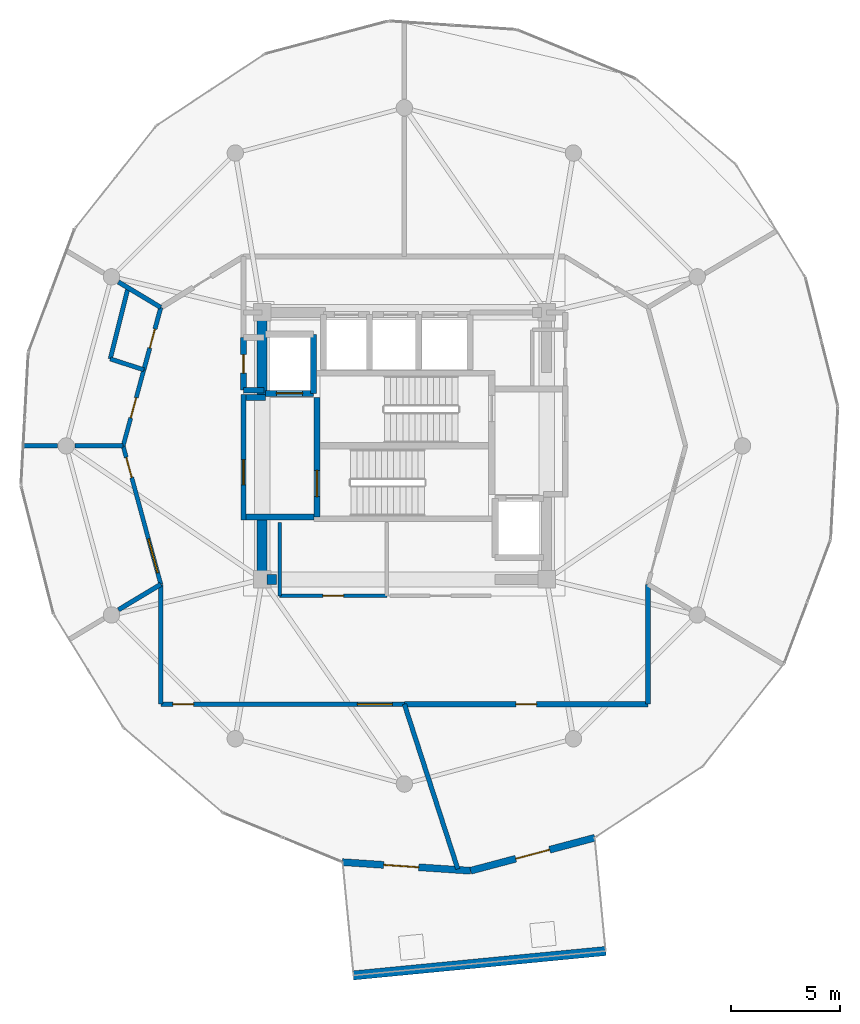
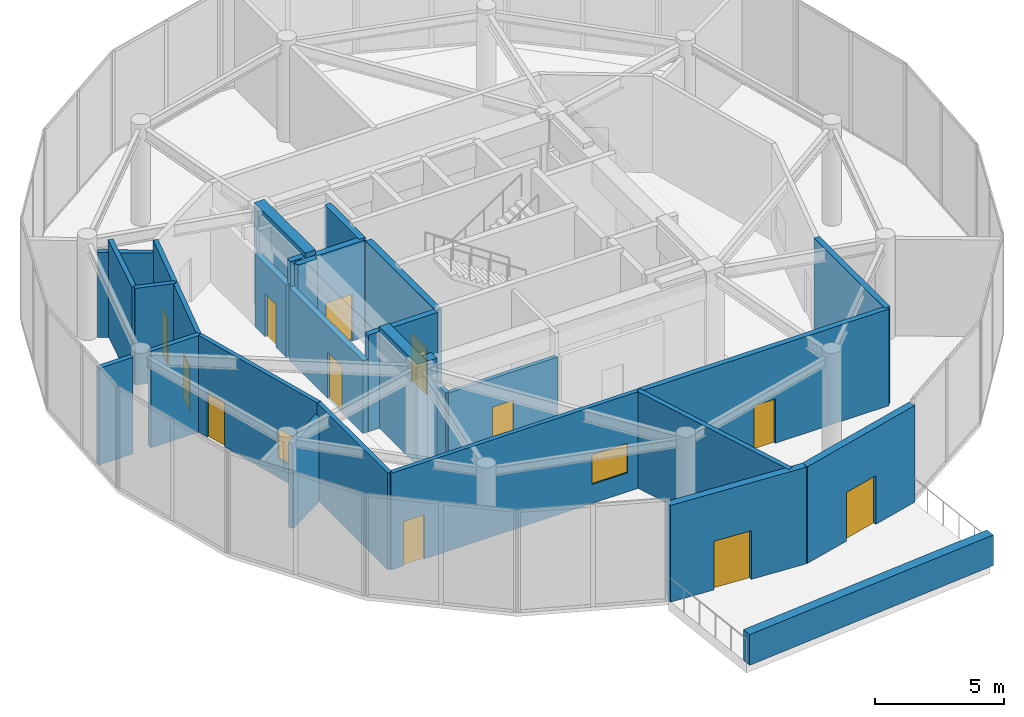
# One storey, part 17 of 21: 30 walls, 12 doors, 2 windows, 14 openings.
"""IFC4 building model written with IfcOpenShell, lengths in metres."""

from ifc_helpers import new_model, si_unit, direction, frame, frame_2d, origin, place, context, subcontext, project, spatial, rectangle, extrude, material, layer, layer_set, type_object, element, fill, save


model = new_model("IFC4")

# Units and contexts
model_context = context("Model", 3, precision=1e-05, world=origin(), true_north=direction((0.0, 1.0)))
body_context = subcontext(model_context, "Body", "Model", "MODEL_VIEW")
ifc_project = project(units=[si_unit("LENGTHUNIT", "METRE"), si_unit("AREAUNIT", "SQUARE_METRE"), si_unit("VOLUMEUNIT", "CUBIC_METRE"), si_unit("PLANEANGLEUNIT", "RADIAN"), si_unit("MASSUNIT", "GRAM", prefix="KILO")], contexts=[model_context])

# Site, building, storey
site_placement = place(None, origin())
site = spatial("IfcSite", under=ifc_project, at=site_placement, CompositionType="ELEMENT")
building_placement = place(site_placement, origin())
building = spatial("IfcBuilding", under=site, at=building_placement, Name="Solvirekh Grand Hotel", CompositionType="ELEMENT")
storey_placement = place(building_placement, frame((0.0, 0.0, 262.0)))
storey = spatial("IfcBuildingStorey", under=building, at=storey_placement, Name="L68", CompositionType="ELEMENT", Elevation=262.0)

# Wall, opening, door
ifc_material_1 = material(Name="Concrete C40/50", Category="concrete")
ifc_layer_1 = layer(ifc_material_1, 0.280029296875)
ifc_layer_set_1 = layer_set([ifc_layer_1], Name="Concrete C40/50")
wall_type_1 = type_object("IfcWallType", Name="CoreShaftWall_RC280", PredefinedType="SOLIDWALL", material=ifc_layer_set_1)
wall_1_placement = place(storey_placement, frame((-6.35009765625, 2.39990234375, 0.0), z_axis=(0.0, 0.0, 1.0), x_axis=(1.0, 0.0, 0.0)))
wall_1 = element("IfcWall", 1, at=wall_1_placement, inside=storey, type_object=wall_type_1, Name="L68 FL-1 hoistway S wall", PredefinedType="SOLIDWALL", context=body_context, shape_type="SweptSolid", body=[
    extrude(rectangle(XDim=2.2001953125, YDim=0.280029296875, at=frame_2d((1.10009765625, 0.0))), origin(), (0.0, 0.0, 1.0), 4.570068359375),
])
opening_1_placement = place(wall_1_placement, frame((0.5, 0.0, 0.0)))
opening_1 = element("IfcOpeningElement", 2, at=opening_1_placement, cuts=wall_1, Name="Opening LD02", PredefinedType="OPENING", context=body_context, shape_type="SweptSolid", body=[
    extrude(rectangle(XDim=1.199951171875, YDim=2.199951171875, at=frame_2d((0.60009765625, 1.10009765625))), frame((0.0, 0.14990234375, 0.0), z_axis=(0.0, -1.0, 0.0), x_axis=(1.0, 0.0, 0.0)), (0.0, 0.0, 1.0), 0.300048828125),
])
ifc_material_2 = material(Name="Fire-Rated Steel Door Assembly", Category="steel")
door_type_1 = type_object("IfcDoorType", Name="Door_LiftFF_1200X2200", OperationType="SLIDING_TO_LEFT", PredefinedType="DOOR", material=ifc_material_2)
door_1_placement = place(opening_1_placement, origin())
door_1 = element("IfcDoor", 3, at=door_1_placement, inside=storey, type_object=door_type_1, Name="L68 FL-1 sliding lift landing door", OperationType="SLIDING_TO_LEFT", OverallHeight=2.199951171875, OverallWidth=1.199951171875, PredefinedType="DOOR", context=body_context, shape_type="SweptSolid", body=[
    extrude(rectangle(XDim=1.199951171875, YDim=2.199951171875, at=frame_2d((0.60009765625, 1.10009765625))), frame((0.0, 0.02490234375, 0.0), z_axis=(0.0, -1.0, 0.0), x_axis=(1.0, 0.0, 0.0)), (0.0, 0.0, 1.0), 0.050048828125),
])
fill(opening_1, door_1)

# Wall
wall_2_placement = place(storey_placement, frame((-4.14990234375, 2.39990234375, 0.0), z_axis=(0.0, 0.0, 1.0), x_axis=(0.0, 1.0, 0.0)))
element("IfcWall", 4, at=wall_2_placement, inside=storey, type_object=wall_type_1, Name="L68 FL-1 hoistway E wall", PredefinedType="SOLIDWALL", context=body_context, shape_type="SweptSolid", body=[
    extrude(rectangle(XDim=2.7001953125, YDim=0.280029296875, at=frame_2d((1.35009765625, 0.0))), origin(), (0.0, 0.0, 1.0), 4.570068359375),
])

# Wall, opening, door
wall_3_placement = place(storey_placement, frame((-3.989990234375, -3.25, 0.0), z_axis=(0.0, 0.0, 1.0), x_axis=(0.0, 1.0, 0.0)))
wall_3 = element("IfcWall", 5, at=wall_3_placement, inside=storey, type_object=wall_type_1, Name="L68 west stair landing enclosure wall", PredefinedType="SOLIDWALL", context=body_context, shape_type="SweptSolid", body=[
    extrude(rectangle(XDim=5.4599609375, YDim=0.280029296875, at=frame_2d((2.72998046875, 0.0))), origin(), (0.0, 0.0, 1.0), 4.570068359375),
])
opening_2_placement = place(wall_3_placement, frame((0.93701171875, 0.0, 0.0)))
opening_2 = element("IfcOpeningElement", 6, at=opening_2_placement, cuts=wall_3, Name="Opening D05", PredefinedType="OPENING", context=body_context, shape_type="SweptSolid", body=[
    extrude(rectangle(XDim=1.199951171875, YDim=2.199951171875, at=frame_2d((0.60009765625, 1.10009765625))), frame((0.0, 0.14990234375, 0.0), z_axis=(0.0, -1.0, 0.0), x_axis=(1.0, 0.0, 0.0)), (0.0, 0.0, 1.0), 0.300048828125),
])
door_type_2 = type_object("IfcDoorType", Name="Door_StairCore_1200X2200", OperationType="NOTDEFINED", PredefinedType="DOOR", material=ifc_material_2)
door_2_placement = place(opening_2_placement, origin())
door_2 = element("IfcDoor", 7, at=door_2_placement, inside=storey, type_object=door_type_2, Name="L68 exit stair ST-1 fire door", OperationType="SINGLE_SWING_LEFT", OverallHeight=2.199951171875, OverallWidth=1.199951171875, PredefinedType="DOOR", context=body_context, shape_type="SweptSolid", body=[
    extrude(rectangle(XDim=1.199951171875, YDim=2.199951171875, at=frame_2d((0.60009765625, 1.10009765625))), frame((0.0, 0.02490234375, 0.0), z_axis=(0.0, -1.0, 0.0), x_axis=(1.0, 0.0, 0.0)), (0.0, 0.0, 1.0), 0.050048828125),
])
fill(opening_2, door_2)

# Walls
ifc_material_3 = material(Name="Concrete C50/60", Category="concrete")
ifc_layer_2 = layer(ifc_material_3, 0.449951171875)
ifc_layer_set_2 = layer_set([ifc_layer_2], Name="Concrete C50/60")
wall_type_2 = type_object("IfcWallType", Name="CoreWall_RC450", PredefinedType="SHEAR", material=ifc_layer_set_2)
wall_4_placement = place(storey_placement, frame((-6.27490234375, -6.10009765625, 0.0), z_axis=(0.0, 0.0, 1.0), x_axis=(1.0, 0.0, 0.0)))
element("IfcWall", 8, at=wall_4_placement, inside=storey, type_object=wall_type_2, Name="L68 core corner shear wall SW-S", PredefinedType="SHEAR", context=body_context, shape_type="SweptSolid", body=[
    extrude(rectangle(XDim=0.4248046875, YDim=0.449951171875, at=frame_2d((0.21240234375, 0.0))), origin(), (0.0, 0.0, 1.0), 4.800048828125),
])
wall_5_placement = place(storey_placement, frame((-6.5, 2.35009765625, 0.0), z_axis=(0.0, 0.0, 1.0), x_axis=(0.0, 1.0, 0.0)))
element("IfcWall", 9, at=wall_5_placement, inside=storey, type_object=wall_type_2, Name="L68 core corner shear wall WN-W", PredefinedType="SHEAR", context=body_context, shape_type="SweptSolid", body=[
    extrude(rectangle(XDim=3.974853515625, YDim=0.449951171875, at=frame_2d((1.9873046875, 0.0))), origin(), (0.0, 0.0, 1.0), 4.800048828125),
])
wall_6_placement = place(storey_placement, frame((-6.5, -6.324951171875, 0.0), z_axis=(0.0, 0.0, 1.0), x_axis=(0.0, 1.0, 0.0)))
element("IfcWall", 10, at=wall_6_placement, inside=storey, type_object=wall_type_2, Name="L68 core corner shear wall WS-W", PredefinedType="SHEAR", context=body_context, shape_type="SweptSolid", body=[
    extrude(rectangle(XDim=2.974853515625, YDim=0.449951171875, at=frame_2d((1.4873046875, 0.0))), origin(), (0.0, 0.0, 1.0), 4.800048828125),
])

# Wall, opening, door
ifc_material_4 = material(Name="Precast concrete C45/55", Category="concrete")
ifc_layer_3 = layer(ifc_material_4, 0.320068359375)
ifc_layer_set_3 = layer_set([ifc_layer_3], Name="Precast concrete C45/55")
wall_type_3 = type_object("IfcWallType", Name="ExtLobbyWall_RC320", PredefinedType="SOLIDWALL", material=ifc_layer_set_3)
wall_7_placement = place(storey_placement, frame((8.700927734375, -17.902099609375, 0.0), z_axis=(0.0, 0.0, 1.0), x_axis=(-0.966469167261, -0.256782687761, 0.0)))
wall_7 = element("IfcWall", 11, at=wall_7_placement, inside=storey, type_object=wall_type_3, Name="L68 exterior structural wall chord 1", PredefinedType="SOLIDWALL", context=body_context, shape_type="SweptSolid", body=[
    extrude(rectangle(XDim=5.871826171875, YDim=0.320068359375, at=frame_2d((2.93603515625, 0.0))), origin(), (0.0, 0.0, 1.0), 4.570068359375),
])
opening_3_placement = place(wall_7_placement, frame((2.135986328125, 0.0, 0.0)))
opening_3 = element("IfcOpeningElement", 12, at=opening_3_placement, cuts=wall_7, Name="Opening D04", PredefinedType="OPENING", context=body_context, shape_type="SweptSolid", body=[
    extrude(rectangle(XDim=1.60009765625, YDim=2.300048828125, at=frame_2d((0.800048828125, 1.14990234375))), frame((0.0, 0.169921875, 0.0), z_axis=(0.0, -1.0, 0.0), x_axis=(1.0, 0.0, 0.0)), (0.0, 0.0, 1.0), 0.340087890625),
])
ifc_material_5 = material(Name="Anodized Bronze Aluminium 6063-T6", Category="aluminium")
door_type_3 = type_object("IfcDoorType", Name="Door_ExtTerrace_1600X2300", OperationType="NOTDEFINED", PredefinedType="DOOR", material=ifc_material_5)
door_3_placement = place(opening_3_placement, origin())
door_3 = element("IfcDoor", 13, at=door_3_placement, inside=storey, type_object=door_type_3, Name="L68 Sky-pool deck access door (1)", OperationType="SINGLE_SWING_LEFT", OverallHeight=2.300048828125, OverallWidth=1.60009765625, PredefinedType="DOOR", context=body_context, shape_type="SweptSolid", body=[
    extrude(rectangle(XDim=1.60009765625, YDim=2.300048828125, at=frame_2d((0.800048828125, 1.14990234375))), frame((0.0, 0.02490234375, 0.0), z_axis=(0.0, -1.0, 0.0), x_axis=(1.0, 0.0, 0.0)), (0.0, 0.0, 1.0), 0.050048828125),
])
fill(opening_3, door_3)

wall_8_placement = place(storey_placement, frame((3.02587890625, -19.409912109375, 0.0), z_axis=(0.0, 0.0, 1.0), x_axis=(-0.997759882604, 0.066897060218, 0.0)))
wall_8 = element("IfcWall", 14, at=wall_8_placement, inside=storey, type_object=wall_type_3, Name="L68 exterior structural wall chord 20", PredefinedType="SOLIDWALL", context=body_context, shape_type="SweptSolid", body=[
    extrude(rectangle(XDim=5.8720703125, YDim=0.320068359375, at=frame_2d((2.93603515625, 0.0))), origin(), (0.0, 0.0, 1.0), 4.570068359375),
])
opening_4_placement = place(wall_8_placement, frame((2.3798828125, 0.0, 0.0)))
opening_4 = element("IfcOpeningElement", 15, at=opening_4_placement, cuts=wall_8, Name="Opening D04", PredefinedType="OPENING", context=body_context, shape_type="SweptSolid", body=[
    extrude(rectangle(XDim=1.60009765625, YDim=2.300048828125, at=frame_2d((0.800048828125, 1.14990234375))), frame((0.0, 0.169921875, 0.0), z_axis=(0.0, -1.0, 0.0), x_axis=(1.0, 0.0, 0.0)), (0.0, 0.0, 1.0), 0.340087890625),
])
door_4_placement = place(opening_4_placement, origin())
door_4 = element("IfcDoor", 16, at=door_4_placement, inside=storey, type_object=door_type_3, Name="L68 Sky-pool deck access door (20)", OperationType="SINGLE_SWING_RIGHT", OverallHeight=2.300048828125, OverallWidth=1.60009765625, PredefinedType="DOOR", context=body_context, shape_type="SweptSolid", body=[
    extrude(rectangle(XDim=1.60009765625, YDim=2.300048828125, at=frame_2d((0.800048828125, 1.14990234375))), frame((0.0, 0.02490234375, 0.0), z_axis=(0.0, -1.0, 0.0), x_axis=(1.0, 0.0, 0.0)), (0.0, 0.0, 1.0), 0.050048828125),
])
fill(opening_4, door_4)

# Wall
ifc_layer_4 = layer(ifc_material_3, 0.419921875)
ifc_layer_set_4 = layer_set([ifc_layer_4], Name="Concrete C50/60")
wall_type_4 = type_object("IfcWallType", Name="ExtPoolBasin_RC420", PredefinedType="SOLIDWALL", material=ifc_layer_set_4)
wall_9_placement = place(storey_placement, frame((-2.3330078125, -24.193115234375, 0.0), z_axis=(0.0, 0.0, 1.0), x_axis=(0.995357894767, 0.096242720896, 0.0)))
element("IfcWall", 17, at=wall_9_placement, inside=storey, type_object=wall_type_4, Name="L68 sky-pool outer infinity basin wall", PredefinedType="SOLIDWALL", context=body_context, shape_type="SweptSolid", body=[
    extrude(rectangle(XDim=11.587646484375, YDim=0.419921875, at=frame_2d((5.7939453125, 0.0))), origin(), (0.0, 0.0, 1.0), 1.449951171875),
])

# Wall, opening, door
ifc_material_6 = material(Name="Acoustic Gypsum Partition Assembly")
ifc_layer_5 = layer(ifc_material_6, 0.1650390625)
ifc_layer_set_5 = layer_set([ifc_layer_5], Name="Acoustic Gypsum Partition Assembly")
wall_type_5 = type_object("IfcWallType", Name="Part_BOH_165", PredefinedType="PARTITIONING", material=ifc_layer_set_5)
wall_10_placement = place(storey_placement, frame((-5.699951171875, -6.85009765625, 0.0), z_axis=(0.0, 0.0, 1.0), x_axis=(1.0, 0.0, 0.0)))
wall_10 = element("IfcWall", 18, at=wall_10_placement, inside=storey, type_object=wall_type_5, Name="L68 High-Zone Housekeeping Linen Room wall 1", PredefinedType="PARTITIONING", context=body_context, shape_type="SweptSolid", body=[
    extrude(rectangle(XDim=4.89990234375, YDim=0.1650390625, at=frame_2d((2.449951171875, 0.0))), origin(), (0.0, 0.0, 1.0), 3.455078125),
])
opening_5_placement = place(wall_10_placement, frame((1.97509765625, 0.0, 0.0)))
opening_5 = element("IfcOpeningElement", 19, at=opening_5_placement, cuts=wall_10, Name="Opening D10", PredefinedType="OPENING", context=body_context, shape_type="SweptSolid", body=[
    extrude(rectangle(XDim=0.949951171875, YDim=2.10009765625, at=frame_2d((0.47509765625, 1.050048828125))), frame((0.0, 0.092529296875, 0.0), z_axis=(0.0, -1.0, 0.0), x_axis=(1.0, 0.0, 0.0)), (0.0, 0.0, 1.0), 0.18505859375),
])
door_type_4 = type_object("IfcDoorType", Name="Door_RoomInt_950X2100", OperationType="NOTDEFINED", PredefinedType="DOOR", material=ifc_material_5)
door_5_placement = place(opening_5_placement, origin())
door_5 = element("IfcDoor", 20, at=door_5_placement, inside=storey, type_object=door_type_4, Name="L68 High-Zone Housekeeping Linen Room door", OperationType="SINGLE_SWING_LEFT", OverallHeight=2.10009765625, OverallWidth=0.949951171875, PredefinedType="DOOR", context=body_context, shape_type="SweptSolid", body=[
    extrude(rectangle(XDim=0.949951171875, YDim=2.10009765625, at=frame_2d((0.47509765625, 1.050048828125))), frame((0.0, 0.02490234375, 0.0), z_axis=(0.0, -1.0, 0.0), x_axis=(1.0, 0.0, 0.0)), (0.0, 0.0, 1.0), 0.050048828125),
])
fill(opening_5, door_5)

# Wall
wall_11_placement = place(storey_placement, frame((-5.699951171875, -3.5, 0.0), z_axis=(0.0, 0.0, 1.0), x_axis=(0.0, -1.0, 0.0)))
element("IfcWall", 21, at=wall_11_placement, inside=storey, type_object=wall_type_5, Name="L68 High-Zone Housekeeping Linen Room wall 4", PredefinedType="PARTITIONING", context=body_context, shape_type="SweptSolid", body=[
    extrude(rectangle(XDim=3.35009765625, YDim=0.1650390625, at=frame_2d((1.675048828125, 0.0))), origin(), (0.0, 0.0, 1.0), 3.455078125),
])

# Wall, opening, door
ifc_layer_6 = layer(ifc_material_6, 0.239990234375)
ifc_layer_set_6 = layer_set([ifc_layer_6], Name="Acoustic Gypsum Partition Assembly")
wall_type_6 = type_object("IfcWallType", Name="Part_Corridor_240", PredefinedType="PARTITIONING", material=ifc_layer_set_6)
wall_12_placement = place(storey_placement, frame((-7.35009765625, -3.3798828125, 0.0), z_axis=(0.0, 0.0, 1.0), x_axis=(0.0, 1.0, 0.0)))
wall_12 = element("IfcWall", 22, at=wall_12_placement, inside=storey, type_object=wall_type_6, Name="L68 west firefighting lobby smoke screen wall", PredefinedType="PARTITIONING", context=body_context, shape_type="SweptSolid", body=[
    extrude(rectangle(XDim=5.719970703125, YDim=0.239990234375, at=frame_2d((2.85986328125, 0.0))), origin(), (0.0, 0.0, 1.0), 3.455078125),
])
opening_6_placement = place(wall_12_placement, frame((1.59912109375, 0.0, 0.0)))
opening_6 = element("IfcOpeningElement", 23, at=opening_6_placement, cuts=wall_12, Name="Opening D06", PredefinedType="OPENING", context=body_context, shape_type="SweptSolid", body=[
    extrude(rectangle(XDim=1.14990234375, YDim=2.199951171875, at=frame_2d((0.574951171875, 1.10009765625))), frame((0.0, 0.1298828125, 0.0), z_axis=(0.0, -1.0, 0.0), x_axis=(1.0, 0.0, 0.0)), (0.0, 0.0, 1.0), 0.260009765625),
])
door_type_5 = type_object("IfcDoorType", Name="Door_FFLobby_1150X2200", OperationType="NOTDEFINED", PredefinedType="DOOR", material=ifc_material_2)
door_6_placement = place(opening_6_placement, origin())
door_6 = element("IfcDoor", 24, at=door_6_placement, inside=storey, type_object=door_type_5, Name="L68 west firefighting lobby smoke door", OperationType="SINGLE_SWING_LEFT", OverallHeight=2.199951171875, OverallWidth=1.14990234375, PredefinedType="DOOR", context=body_context, shape_type="SweptSolid", body=[
    extrude(rectangle(XDim=1.14990234375, YDim=2.199951171875, at=frame_2d((0.574951171875, 1.10009765625))), frame((0.0, 0.02490234375, 0.0), z_axis=(0.0, -1.0, 0.0), x_axis=(1.0, 0.0, 0.0)), (0.0, 0.0, 1.0), 0.050048828125),
])
fill(opening_6, door_6)

wall_13_placement = place(storey_placement, frame((0.0, -11.800048828125, 0.0), z_axis=(0.0, 0.0, 1.0), x_axis=(1.0, 0.0, 0.0)))
wall_13 = element("IfcWall", 25, at=wall_13_placement, inside=storey, type_object=wall_type_6, Name="L68 L68 Butler Valet & Linen Steward Room corridor wall", PredefinedType="PARTITIONING", context=body_context, shape_type="SweptSolid", body=[
    extrude(rectangle(XDim=11.1279296875, YDim=0.239990234375, at=frame_2d((5.56396484375, 0.0))), origin(), (0.0, 0.0, 1.0), 4.570068359375),
])
opening_7_placement = place(wall_13_placement, frame((5.089111328125, 0.0, 0.0)))
opening_7 = element("IfcOpeningElement", 26, at=opening_7_placement, cuts=wall_13, Name="Opening D10", PredefinedType="OPENING", context=body_context, shape_type="SweptSolid", body=[
    extrude(rectangle(XDim=0.949951171875, YDim=2.10009765625, at=frame_2d((0.47509765625, 1.050048828125))), frame((0.0, 0.1298828125, 0.0), z_axis=(0.0, -1.0, 0.0), x_axis=(1.0, 0.0, 0.0)), (0.0, 0.0, 1.0), 0.260009765625),
])
door_7_placement = place(opening_7_placement, origin())
door_7 = element("IfcDoor", 27, at=door_7_placement, inside=storey, type_object=door_type_4, Name="L68 L68 Butler Valet & Linen Steward Room entrance door", OperationType="SINGLE_SWING_RIGHT", OverallHeight=2.10009765625, OverallWidth=0.949951171875, PredefinedType="DOOR", context=body_context, shape_type="SweptSolid", body=[
    extrude(rectangle(XDim=0.949951171875, YDim=2.10009765625, at=frame_2d((0.47509765625, 1.050048828125))), frame((0.0, 0.02490234375, 0.0), z_axis=(0.0, -1.0, 0.0), x_axis=(1.0, 0.0, 0.0)), (0.0, 0.0, 1.0), 0.050048828125),
])
fill(opening_7, door_7)

# Wall
wall_14_placement = place(storey_placement, frame((11.1279296875, -11.800048828125, 0.0), z_axis=(0.0, 0.0, 1.0), x_axis=(0.0, 1.0, 0.0)))
element("IfcWall", 28, at=wall_14_placement, inside=storey, type_object=wall_type_6, Name="L68 L68 Butler Valet & Linen Steward Room corridor wall 2", PredefinedType="PARTITIONING", context=body_context, shape_type="SweptSolid", body=[
    extrude(rectangle(XDim=5.47509765625, YDim=0.239990234375, at=frame_2d((2.737548828125, 0.0))), origin(), (0.0, 0.0, 1.0), 4.570068359375),
])

# Wall, opening, door
ifc_layer_7 = layer(ifc_material_6, 0.18994140625)
ifc_layer_set_7 = layer_set([ifc_layer_7], Name="Acoustic Gypsum Partition Assembly")
wall_type_7 = type_object("IfcWallType", Name="Part_GuestDemise_190", PredefinedType="PARTITIONING", material=ifc_layer_set_7)
wall_15_placement = place(storey_placement, frame((-11.903076171875, 3.47900390625, 0.0), z_axis=(0.0, 0.0, 1.0), x_axis=(-0.262653290471, -0.964890278221, 0.0)))
wall_15 = element("IfcWall", 29, at=wall_15_placement, inside=storey, type_object=wall_type_7, Name="L68 Poolside Cabana Towel Salon corridor wall", PredefinedType="PARTITIONING", context=body_context, shape_type="SweptSolid", body=[
    extrude(rectangle(XDim=3.605712890625, YDim=0.18994140625, at=frame_2d((1.802734375, 0.0))), origin(), (0.0, 0.0, 1.0), 4.570068359375),
])
opening_8_placement = place(wall_15_placement, frame((1.327880859375, 0.0, 0.0)))
opening_8 = element("IfcOpeningElement", 30, at=opening_8_placement, cuts=wall_15, Name="Opening D10", PredefinedType="OPENING", context=body_context, shape_type="SweptSolid", body=[
    extrude(rectangle(XDim=0.949951171875, YDim=2.10009765625, at=frame_2d((0.47509765625, 1.050048828125))), frame((0.0, 0.10498046875, 0.0), z_axis=(0.0, -1.0, 0.0), x_axis=(1.0, 0.0, 0.0)), (0.0, 0.0, 1.0), 0.2099609375),
])
door_8_placement = place(opening_8_placement, origin())
door_8 = element("IfcDoor", 31, at=door_8_placement, inside=storey, type_object=door_type_4, Name="L68 Poolside Cabana Towel Salon entrance door", OperationType="SINGLE_SWING_RIGHT", OverallHeight=2.10009765625, OverallWidth=0.949951171875, PredefinedType="DOOR", context=body_context, shape_type="SweptSolid", body=[
    extrude(rectangle(XDim=0.949951171875, YDim=2.10009765625, at=frame_2d((0.47509765625, 1.050048828125))), frame((0.0, 0.02490234375, 0.0), z_axis=(0.0, -1.0, 0.0), x_axis=(1.0, 0.0, 0.0)), (0.0, 0.0, 1.0), 0.050048828125),
])
fill(opening_8, door_8)

# Wall, openings, door, window
wall_16_placement = place(storey_placement, frame((-12.85009765625, 0.0, 0.0), z_axis=(0.0, 0.0, 1.0), x_axis=(0.262717156474, -0.964872890952, 0.0)))
wall_16 = element("IfcWall", 32, at=wall_16_placement, inside=storey, type_object=wall_type_7, Name="L68 Poolside Dining Bar & Servery corridor wall", PredefinedType="PARTITIONING", context=body_context, shape_type="SweptSolid", body=[
    extrude(rectangle(XDim=6.55517578125, YDim=0.18994140625, at=frame_2d((3.277587890625, 0.0))), origin(), (0.0, 0.0, 1.0), 4.570068359375),
])
opening_9_placement = place(wall_16_placement, frame((0.550048828125, 0.0, 0.0)))
opening_9 = element("IfcOpeningElement", 33, at=opening_9_placement, cuts=wall_16, Name="Opening D10", PredefinedType="OPENING", context=body_context, shape_type="SweptSolid", body=[
    extrude(rectangle(XDim=0.949951171875, YDim=2.10009765625, at=frame_2d((0.47509765625, 1.050048828125))), frame((0.0, 0.10498046875, 0.0), z_axis=(0.0, -1.0, 0.0), x_axis=(1.0, 0.0, 0.0)), (0.0, 0.0, 1.0), 0.2099609375),
])
opening_10_placement = place(wall_16_placement, frame((4.405029296875, 0.0, 0.89990234375)))
opening_10 = element("IfcOpeningElement", 34, at=opening_10_placement, cuts=wall_16, Name="Opening W04", PredefinedType="OPENING", context=body_context, shape_type="SweptSolid", body=[
    extrude(rectangle(XDim=1.60009765625, YDim=1.39990234375, at=frame_2d((0.800048828125, 0.699951171875))), frame((0.0, 0.10498046875, 0.0), z_axis=(0.0, -1.0, 0.0), x_axis=(1.0, 0.0, 0.0)), (0.0, 0.0, 1.0), 0.2099609375),
])
door_9_placement = place(opening_9_placement, origin())
door_9 = element("IfcDoor", 35, at=door_9_placement, inside=storey, type_object=door_type_4, Name="L68 Poolside Dining Bar & Servery entrance door", OperationType="SINGLE_SWING_LEFT", OverallHeight=2.10009765625, OverallWidth=0.949951171875, PredefinedType="DOOR", context=body_context, shape_type="SweptSolid", body=[
    extrude(rectangle(XDim=0.949951171875, YDim=2.10009765625, at=frame_2d((0.47509765625, 1.050048828125))), frame((0.0, 0.02490234375, 0.0), z_axis=(0.0, -1.0, 0.0), x_axis=(1.0, 0.0, 0.0)), (0.0, 0.0, 1.0), 0.050048828125),
])
fill(opening_9, door_9)
ifc_material_7 = material(Name="Fire-Rated Ceramic Glazing", Category="glass")
window_type = type_object("IfcWindowType", Name="Win_ConfInt_1600X1400", PartitioningType="SINGLE_PANEL", PredefinedType="WINDOW", material=ifc_material_7)
window_1_placement = place(opening_10_placement, origin())
window_1 = element("IfcWindow", 36, at=window_1_placement, inside=storey, type_object=window_type, Name="L68 Poolside Dining Bar & Servery interior glazed screen", OverallHeight=1.39990234375, OverallWidth=1.60009765625, PartitioningType="SINGLE_PANEL", PredefinedType="WINDOW", context=body_context, shape_type="SweptSolid", body=[
    extrude(rectangle(XDim=1.60009765625, YDim=1.39990234375, at=frame_2d((0.800048828125, 0.699951171875))), frame((0.0, 0.030029296875, 0.0), z_axis=(0.0, -1.0, 0.0), x_axis=(1.0, 0.0, 0.0)), (0.0, 0.0, 1.0), 0.06005859375),
])
fill(opening_10, window_1)

wall_17_placement = place(storey_placement, frame((-11.1279296875, -11.800048828125, 0.0), z_axis=(0.0, 0.0, 1.0), x_axis=(1.0, 0.0, 0.0)))
wall_17 = element("IfcWall", 37, at=wall_17_placement, inside=storey, type_object=wall_type_7, Name="L68 L68 Panoramic Belvedere Salon corridor wall", PredefinedType="PARTITIONING", context=body_context, shape_type="SweptSolid", body=[
    extrude(rectangle(XDim=11.1279296875, YDim=0.18994140625, at=frame_2d((5.56396484375, 0.0))), origin(), (0.0, 0.0, 1.0), 4.570068359375),
])
opening_11_placement = place(wall_17_placement, frame((0.550048828125, 0.0, 0.0)))
opening_11 = element("IfcOpeningElement", 38, at=opening_11_placement, cuts=wall_17, Name="Opening D10", PredefinedType="OPENING", context=body_context, shape_type="SweptSolid", body=[
    extrude(rectangle(XDim=0.949951171875, YDim=2.10009765625, at=frame_2d((0.47509765625, 1.050048828125))), frame((0.0, 0.10498046875, 0.0), z_axis=(0.0, -1.0, 0.0), x_axis=(1.0, 0.0, 0.0)), (0.0, 0.0, 1.0), 0.2099609375),
])
opening_12_placement = place(wall_17_placement, frame((8.97802734375, 0.0, 0.89990234375)))
opening_12 = element("IfcOpeningElement", 39, at=opening_12_placement, cuts=wall_17, Name="Opening W04", PredefinedType="OPENING", context=body_context, shape_type="SweptSolid", body=[
    extrude(rectangle(XDim=1.60009765625, YDim=1.39990234375, at=frame_2d((0.800048828125, 0.699951171875))), frame((0.0, 0.10498046875, 0.0), z_axis=(0.0, -1.0, 0.0), x_axis=(1.0, 0.0, 0.0)), (0.0, 0.0, 1.0), 0.2099609375),
])
door_10_placement = place(opening_11_placement, origin())
door_10 = element("IfcDoor", 40, at=door_10_placement, inside=storey, type_object=door_type_4, Name="L68 L68 Panoramic Belvedere Salon entrance door", OperationType="SINGLE_SWING_LEFT", OverallHeight=2.10009765625, OverallWidth=0.949951171875, PredefinedType="DOOR", context=body_context, shape_type="SweptSolid", body=[
    extrude(rectangle(XDim=0.949951171875, YDim=2.10009765625, at=frame_2d((0.47509765625, 1.050048828125))), frame((0.0, 0.02490234375, 0.0), z_axis=(0.0, -1.0, 0.0), x_axis=(1.0, 0.0, 0.0)), (0.0, 0.0, 1.0), 0.050048828125),
])
fill(opening_11, door_10)
window_2_placement = place(opening_12_placement, origin())
window_2 = element("IfcWindow", 41, at=window_2_placement, inside=storey, type_object=window_type, Name="L68 L68 Panoramic Belvedere Salon interior glazed screen", OverallHeight=1.39990234375, OverallWidth=1.60009765625, PartitioningType="SINGLE_PANEL", PredefinedType="WINDOW", context=body_context, shape_type="SweptSolid", body=[
    extrude(rectangle(XDim=1.60009765625, YDim=1.39990234375, at=frame_2d((0.800048828125, 0.699951171875))), frame((0.0, 0.030029296875, 0.0), z_axis=(0.0, -1.0, 0.0), x_axis=(1.0, 0.0, 0.0)), (0.0, 0.0, 1.0), 0.06005859375),
])
fill(opening_12, window_2)

# Walls
wall_18_placement = place(storey_placement, frame((-11.1279296875, -6.324951171875, 0.0), z_axis=(0.0, 0.0, 1.0), x_axis=(0.0, -1.0, 0.0)))
element("IfcWall", 42, at=wall_18_placement, inside=storey, type_object=wall_type_7, Name="L68 L68 Panoramic Belvedere Salon corridor wall 2", PredefinedType="PARTITIONING", context=body_context, shape_type="SweptSolid", body=[
    extrude(rectangle(XDim=5.47509765625, YDim=0.18994140625, at=frame_2d((2.737548828125, 0.0))), origin(), (0.0, 0.0, 1.0), 4.570068359375),
])
ifc_layer_8 = layer(ifc_material_6, 0.260009765625)
ifc_layer_set_8 = layer_set([ifc_layer_8], Name="Acoustic Gypsum Partition Assembly")
wall_type_8 = type_object("IfcWallType", Name="Part_LobbyFF_260", PredefinedType="PARTITIONING", material=ifc_layer_set_8)
wall_19_placement = place(storey_placement, frame((-7.22509765625, -3.25, 0.0), z_axis=(0.0, 0.0, 1.0), x_axis=(1.0, 0.0, 0.0)))
element("IfcWall", 43, at=wall_19_placement, inside=storey, type_object=wall_type_8, Name="L68 west firefighting lobby south partition", PredefinedType="PARTITIONING", context=body_context, shape_type="SweptSolid", body=[
    extrude(rectangle(XDim=3.09521484375, YDim=0.260009765625, at=frame_2d((1.547607421875, 0.0))), origin(), (0.0, 0.0, 1.0), 4.570068359375),
])
wall_20_placement = place(storey_placement, frame((-7.22509765625, 2.2099609375, 0.0), z_axis=(0.0, 0.0, 1.0), x_axis=(1.0, 0.0, 0.0)))
element("IfcWall", 44, at=wall_20_placement, inside=storey, type_object=wall_type_8, Name="L68 west firefighting lobby NW cheek", PredefinedType="PARTITIONING", context=body_context, shape_type="SweptSolid", body=[
    extrude(rectangle(XDim=0.875, YDim=0.260009765625, at=frame_2d((0.4375, 0.0))), origin(), (0.0, 0.0, 1.0), 4.570068359375),
])
wall_21_placement = place(storey_placement, frame((-7.35009765625, 2.550048828125, 0.0), z_axis=(0.0, 0.0, 1.0), x_axis=(1.0, 0.0, 0.0)))
element("IfcWall", 45, at=wall_21_placement, inside=storey, type_object=wall_type_8, Name="L68 NW telecom metering cupboard south wall", PredefinedType="PARTITIONING", context=body_context, shape_type="SweptSolid", body=[
    extrude(rectangle(XDim=0.93017578125, YDim=0.260009765625, at=frame_2d((0.465087890625, 0.0))), origin(), (0.0, 0.0, 1.0), 4.570068359375),
])

# Wall, opening, door
wall_22_placement = place(storey_placement, frame((-7.35009765625, 2.550048828125, 0.0), z_axis=(0.0, 0.0, 1.0), x_axis=(0.0, 1.0, 0.0)))
wall_22 = element("IfcWall", 46, at=wall_22_placement, inside=storey, type_object=wall_type_8, Name="L68 NW telecom metering cupboard access wall", PredefinedType="PARTITIONING", context=body_context, shape_type="SweptSolid", body=[
    extrude(rectangle(XDim=2.39990234375, YDim=0.260009765625, at=frame_2d((1.199951171875, 0.0))), origin(), (0.0, 0.0, 1.0), 3.455078125),
])
opening_13_placement = place(wall_22_placement, frame((0.77490234375, 0.0, 0.0)))
opening_13 = element("IfcOpeningElement", 47, at=opening_13_placement, cuts=wall_22, Name="Opening D13", PredefinedType="OPENING", context=body_context, shape_type="SweptSolid", body=[
    extrude(rectangle(XDim=0.85009765625, YDim=2.050048828125, at=frame_2d((0.425048828125, 1.02490234375))), frame((0.0, 0.14013671875, 0.0), z_axis=(0.0, -1.0, 0.0), x_axis=(1.0, 0.0, 0.0)), (0.0, 0.0, 1.0), 0.280029296875),
])
door_type_6 = type_object("IfcDoorType", Name="Door_RiserShaft_850X2050", OperationType="NOTDEFINED", PredefinedType="DOOR", material=ifc_material_2)
door_11_placement = place(opening_13_placement, origin())
door_11 = element("IfcDoor", 48, at=door_11_placement, inside=storey, type_object=door_type_6, Name="L68 telecom metering cupboard access door", OperationType="SINGLE_SWING_LEFT", OverallHeight=2.050048828125, OverallWidth=0.85009765625, PredefinedType="DOOR", context=body_context, shape_type="SweptSolid", body=[
    extrude(rectangle(XDim=0.85009765625, YDim=2.050048828125, at=frame_2d((0.425048828125, 1.02490234375))), frame((0.0, 0.02490234375, 0.0), z_axis=(0.0, -1.0, 0.0), x_axis=(1.0, 0.0, 0.0)), (0.0, 0.0, 1.0), 0.050048828125),
])
fill(opening_13, door_11)

# Walls
ifc_layer_9 = layer(ifc_material_6, 0.2099609375)
ifc_layer_set_9 = layer_set([ifc_layer_9], Name="Acoustic Gypsum Partition Assembly")
wall_type_9 = type_object("IfcWallType", Name="Part_SuiteDemise_210", PredefinedType="PARTITIONING", material=ifc_layer_set_9)
wall_23_placement = place(storey_placement, frame((-11.1279296875, 6.324951171875, 0.0), z_axis=(0.0, 0.0, 1.0), x_axis=(-0.857206654834, 0.514972572967, 0.0)))
element("IfcWall", 49, at=wall_23_placement, inside=storey, type_object=wall_type_9, Name="L68 radial demising wall 6 (A)", PredefinedType="PARTITIONING", context=body_context, shape_type="SweptSolid", body=[
    extrude(rectangle(XDim=2.258544921875, YDim=0.2099609375, at=frame_2d((1.12939453125, 0.0))), origin(), (0.0, 0.0, 1.0), 4.010986328125),
])
wall_24_placement = place(storey_placement, frame((-12.85009765625, 0.0, 0.0), z_axis=(0.0, 0.0, 1.0), x_axis=(-1.0, 0.0, 0.0)))
element("IfcWall", 50, at=wall_24_placement, inside=storey, type_object=wall_type_9, Name="L68 radial demising wall 7 (A)", PredefinedType="PARTITIONING", context=body_context, shape_type="SweptSolid", body=[
    extrude(rectangle(XDim=2.204833984375, YDim=0.2099609375, at=frame_2d((1.1025390625, 0.0))), origin(), (0.0, 0.0, 1.0), 4.570068359375),
])
wall_25_placement = place(storey_placement, frame((-15.844970703125, 0.0, 0.0), z_axis=(0.0, 0.0, 1.0), x_axis=(-1.0, 0.0, 0.0)))
element("IfcWall", 51, at=wall_25_placement, inside=storey, type_object=wall_type_9, Name="L68 radial demising wall 7 (B)", PredefinedType="PARTITIONING", context=body_context, shape_type="SweptSolid", body=[
    extrude(rectangle(XDim=1.529052734375, YDim=0.2099609375, at=frame_2d((0.7646484375, 0.0))), origin(), (0.0, 0.0, 1.0), 4.570068359375),
])
wall_26_placement = place(storey_placement, frame((-11.1279296875, -6.324951171875, 0.0), z_axis=(0.0, 0.0, 1.0), x_axis=(-0.857015766595, -0.515290186018, 0.0)))
element("IfcWall", 52, at=wall_26_placement, inside=storey, type_object=wall_type_9, Name="L68 radial demising wall 8 (A)", PredefinedType="PARTITIONING", context=body_context, shape_type="SweptSolid", body=[
    extrude(rectangle(XDim=2.259033203125, YDim=0.2099609375, at=frame_2d((1.12939453125, 0.0))), origin(), (0.0, 0.0, 1.0), 4.010986328125),
])
wall_27_placement = place(storey_placement, frame((0.0, -11.800048828125, 0.0), z_axis=(0.0, 0.0, 1.0), x_axis=(0.308436826184, -0.951244828766, 0.0)))
element("IfcWall", 53, at=wall_27_placement, inside=storey, type_object=wall_type_9, Name="L68 L68 Panoramic Belvedere Salon dividing partition 1", PredefinedType="PARTITIONING", context=body_context, shape_type="SweptSolid", body=[
    extrude(rectangle(XDim=7.9169921875, YDim=0.2099609375, at=frame_2d((3.95849609375, 0.0))), origin(), (0.0, 0.0, 1.0), 4.570068359375),
])

# Wall, opening, door
ifc_layer_10 = layer(ifc_material_6, 0.199951171875)
ifc_layer_set_10 = layer_set([ifc_layer_10], Name="Acoustic Gypsum Partition Assembly")
wall_type_10 = type_object("IfcWallType", Name="Plumb_PublicWC_200", PredefinedType="PLUMBINGWALL", material=ifc_layer_set_10)
wall_28_placement = place(storey_placement, frame((-11.1279296875, 6.324951171875, 0.0), z_axis=(0.0, 0.0, 1.0), x_axis=(-0.262795224233, -0.964851631144, 0.0)))
wall_28 = element("IfcWall", 54, at=wall_28_placement, inside=storey, type_object=wall_type_10, Name="L68 Sky Pool Accessible Changing WC corridor wall", PredefinedType="PLUMBINGWALL", context=body_context, shape_type="SweptSolid", body=[
    extrude(rectangle(XDim=2.94970703125, YDim=0.199951171875, at=frame_2d((1.474853515625, 0.0))), origin(), (0.0, 0.0, 1.0), 4.570068359375),
])
opening_14_placement = place(wall_28_placement, frame((1.02490234375, 0.0, 0.0)))
opening_14 = element("IfcOpeningElement", 55, at=opening_14_placement, cuts=wall_28, Name="Opening D09", PredefinedType="OPENING", context=body_context, shape_type="SweptSolid", body=[
    extrude(rectangle(XDim=0.89990234375, YDim=2.10009765625, at=frame_2d((0.449951171875, 1.050048828125))), frame((0.0, 0.10986328125, 0.0), z_axis=(0.0, -1.0, 0.0), x_axis=(1.0, 0.0, 0.0)), (0.0, 0.0, 1.0), 0.219970703125),
])
door_type_7 = type_object("IfcDoorType", Name="Door_Ensuite_900X2100", OperationType="NOTDEFINED", PredefinedType="DOOR", material=ifc_material_5)
door_12_placement = place(opening_14_placement, origin())
door_12 = element("IfcDoor", 56, at=door_12_placement, inside=storey, type_object=door_type_7, Name="L68 Sky Pool Accessible Changing WC entrance door", OperationType="SINGLE_SWING_LEFT", OverallHeight=2.10009765625, OverallWidth=0.89990234375, PredefinedType="DOOR", context=body_context, shape_type="SweptSolid", body=[
    extrude(rectangle(XDim=0.89990234375, YDim=2.10009765625, at=frame_2d((0.449951171875, 1.050048828125))), frame((0.0, 0.02490234375, 0.0), z_axis=(0.0, -1.0, 0.0), x_axis=(1.0, 0.0, 0.0)), (0.0, 0.0, 1.0), 0.050048828125),
])
fill(opening_14, door_12)

# Walls
wall_29_placement = place(storey_placement, frame((-12.625, 7.22412109375, 0.0), z_axis=(0.0, 0.0, 1.0), x_axis=(-0.242947101891, -0.970039538206, 0.0)))
element("IfcWall", 57, at=wall_29_placement, inside=storey, type_object=wall_type_10, Name="L68 Sky Pool Accessible Changing WC outer plumbing wall", PredefinedType="PLUMBINGWALL", context=body_context, shape_type="SweptSolid", body=[
    extrude(rectangle(XDim=3.350341796875, YDim=0.199951171875, at=frame_2d((1.67529296875, 0.0))), origin(), (0.0, 0.0, 1.0), 4.570068359375),
])
wall_30_placement = place(storey_placement, frame((-11.903076171875, 3.47900390625, 0.0), z_axis=(0.0, 0.0, 1.0), x_axis=(-0.951768488443, 0.30681711883, 0.0)))
element("IfcWall", 58, at=wall_30_placement, inside=storey, type_object=wall_type_10, Name="L68 Sky Pool Accessible Changing WC dividing plumbing wall", PredefinedType="PLUMBINGWALL", context=body_context, shape_type="SweptSolid", body=[
    extrude(rectangle(XDim=1.61376953125, YDim=0.199951171875, at=frame_2d((0.806884765625, 0.0))), origin(), (0.0, 0.0, 1.0), 4.570068359375),
])

save(model, "model.ifc")
